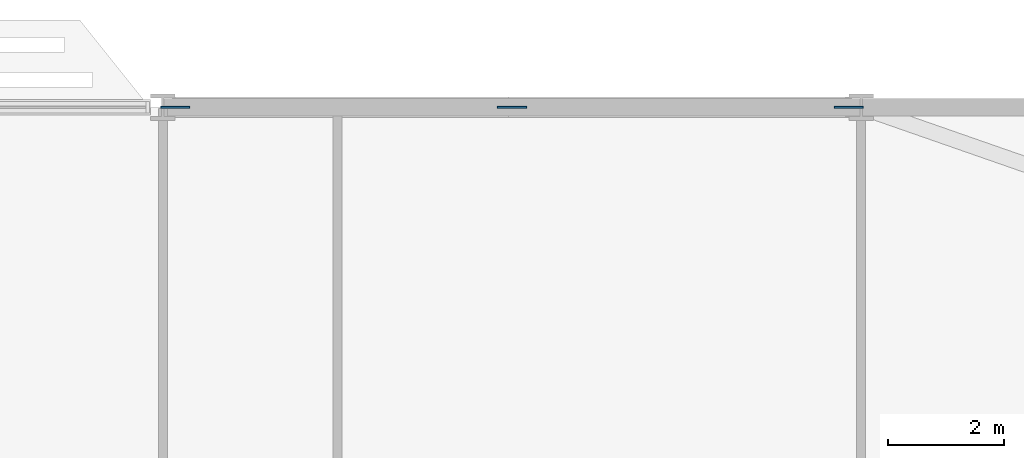
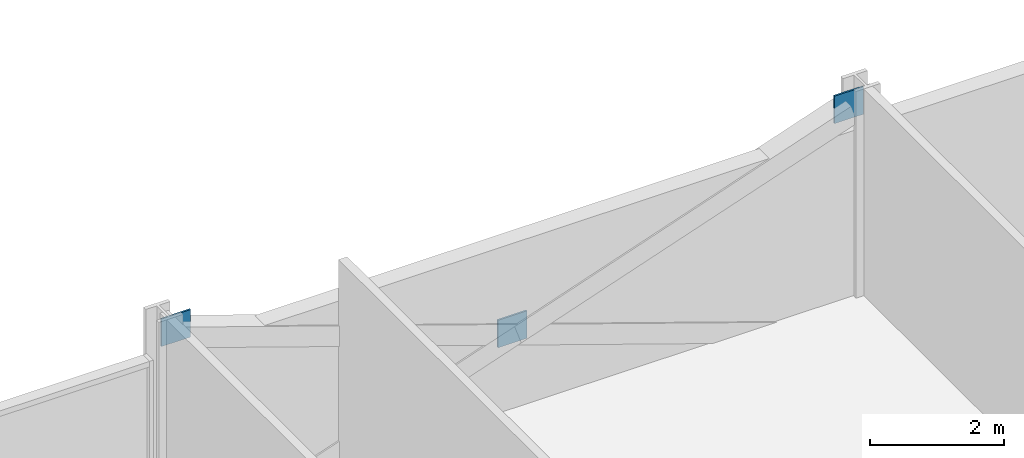
# One storey, part 22 of 29: 3 discrete accessories.
"""IFC4 building model written with IfcOpenShell, lengths in metres."""

from ifc_helpers import new_model, si_unit, direction, frame, origin, origin_2d, place, context, subcontext, project, spatial, rectangle, extrude, material, layer, layer_set, type_object, element, save


model = new_model("IFC4")

# Units and contexts
model_context = context("Model", 3, precision=1e-05, world=origin(), true_north=direction((0.0, 1.0)))
body_context = subcontext(model_context, "Body", "Model", "MODEL_VIEW")
ifc_project = project(units=[si_unit("LENGTHUNIT", "METRE"), si_unit("AREAUNIT", "SQUARE_METRE"), si_unit("VOLUMEUNIT", "CUBIC_METRE"), si_unit("PLANEANGLEUNIT", "RADIAN"), si_unit("MASSUNIT", "GRAM", prefix="KILO")], contexts=[model_context])

# Site, building, storey
site_placement = place(None, origin())
site = spatial("IfcSite", under=ifc_project, at=site_placement, CompositionType="ELEMENT")
building_placement = place(site_placement, origin())
building = spatial("IfcBuilding", under=site, at=building_placement, Name="Mahtab Terrace Research Tower", CompositionType="ELEMENT")
storey_placement = place(building_placement, frame((0.0, 0.0, 93.0)))
storey = spatial("IfcBuildingStorey", under=building, at=storey_placement, Name="L21", CompositionType="ELEMENT", Elevation=93.0)

# Discrete accessories
ifc_material = material(Name="Steel ASTM A992 Gr 50", Category="steel")
ifc_layer = layer(ifc_material, 0.030029296875)
ifc_layer_set = layer_set([ifc_layer], Name="Gusset plate 500x500x30")
discrete_accessory_type = type_object("IfcDiscreteAccessoryType", Name="Gusset plate 500x500x30", PredefinedType="USERDEFINED", material=ifc_layer_set)
for number, where, z_axis, x_axis, name in (
    (1, (30.209716796875, 29.0, 3.131591796875), (0.0, 0.0, 1.0), (1.0, 0.0, 0.0), "Gusset plate"),
    (2, (36.0, 29.0, 1.08154296875), (0.0, 0.0, 1.0), (1.0, 0.0, 0.0), "Gusset plate"),
    (3, (41.790283203125, 29.0, 3.131591796875), (0.0, 0.0, 1.0), (1.0, 0.0, 0.0), "Gusset plate"),
):
    element("IfcDiscreteAccessory", number, at=place(storey_placement, frame(where, z_axis=z_axis, x_axis=x_axis)), inside=storey, type_object=discrete_accessory_type, Name=name, ObjectType="GUSSET PLATE", PredefinedType="USERDEFINED", context=body_context, shape_type="SweptSolid", body=[
        extrude(rectangle(XDim=0.5, YDim=0.030029296875, at=origin_2d()), origin(), (0.0, 0.0, 1.0), 0.5),
    ])

save(model, "model.ifc")
